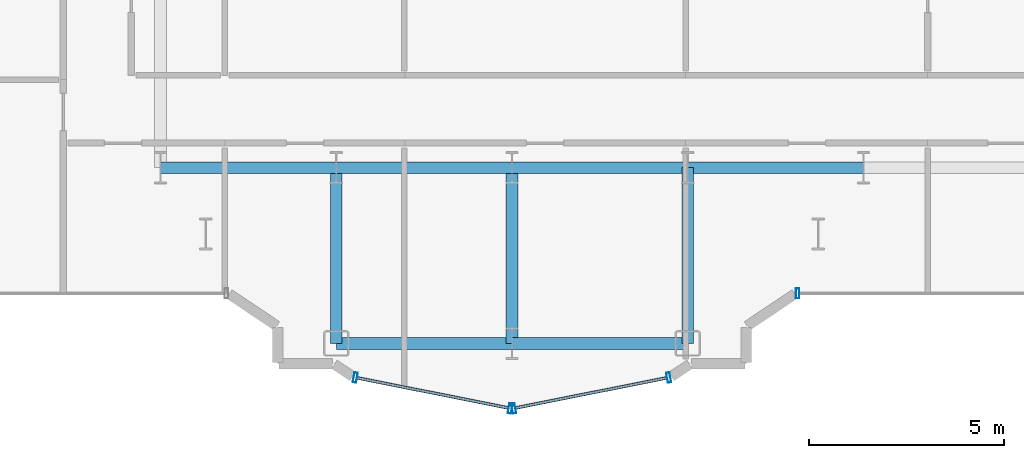
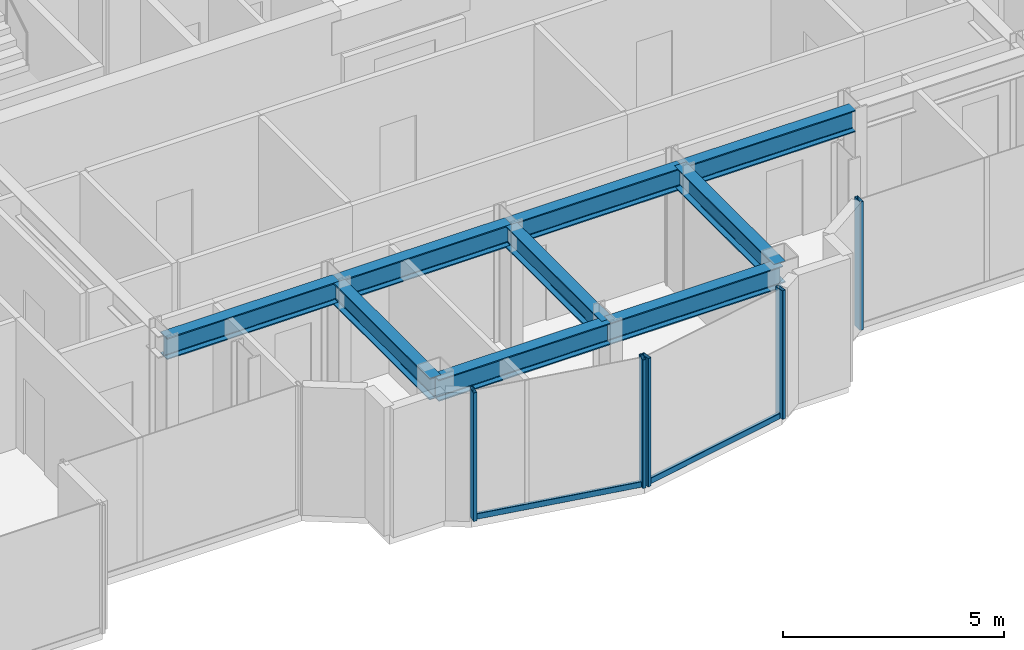
# One storey, part 3 of 20: 9 beams, 7 members, 3 elements without a shape of their own.
"""IFC4 building model written with IfcOpenShell, lengths in metres."""

import ifcopenshell
import ifcopenshell.guid

model = None  # the IFC model being written
_history = None  # IfcOwnerHistory: only IFC2X3 demands one
_inside = {}  # id of a spatial element -> (the spatial element, [elements in it])
_under = {}  # id of a project, library or spatial element -> (it, [spatial elements below it])
_declared = {}  # id of a project -> (the project, [libraries it declares])
_typed = {}  # id of a type object -> (the type object, [elements of that type])
_made_of = {}  # id of a material, layer set ... -> (it, [elements and type objects made of it])


def new_model(schema):
    """Start an empty IFC model of exactly this schema.

    Asked for "IFC4X3", IfcOpenShell would pick the latest addendum, in which some entities
    have other attributes; the version numbers below select the first issue.
    IFC2X3 requires an IfcOwnerHistory on every rooted entity: one is made here for all.
    """
    global model, _history
    if schema == "IFC4X3":
        model = ifcopenshell.file(schema_version=(4, 3, 0, 0))
    else:
        model = ifcopenshell.file(schema=schema)
    _inside.clear()
    _under.clear()
    _declared.clear()
    _typed.clear()
    _made_of.clear()
    _history = None
    if model.schema == "IFC2X3":
        org = make("IfcOrganization", Name="unknown")
        user = make(
            "IfcPersonAndOrganization",
            ThePerson=make("IfcPerson", FamilyName="unknown"),
            TheOrganization=org,
        )
        app = make(
            "IfcApplication",
            ApplicationDeveloper=org,
            Version="unknown",
            ApplicationFullName="unknown",
            ApplicationIdentifier="unknown",
        )
        _history = make(
            "IfcOwnerHistory",
            OwningUser=user,
            OwningApplication=app,
            ChangeAction="ADDED",
            CreationDate=0,
        )
    return model


def make(cls, **values):
    """One entity of the class cls with the attributes given. An attribute that is None is left unset."""
    return model.create_entity(
        cls, **{name: value for name, value in values.items() if value is not None}
    )


def rooted(cls, **values):
    """An entity with a GlobalId (a new one), such as an element, a storey or a relation."""
    return make(cls, GlobalId=ifcopenshell.guid.new(), OwnerHistory=_history, **values)


def si_unit(unit_type, name, prefix=None):
    """IfcSIUnit, for example si_unit("LENGTHUNIT", "METRE", prefix="MILLI")."""
    return make("IfcSIUnit", UnitType=unit_type, Prefix=prefix, Name=name)


def assignment(units):
    """IfcUnitAssignment: the units of a project."""
    return None if units is None else make("IfcUnitAssignment", Units=units)


def point(xyz):
    """IfcCartesianPoint."""
    return None if xyz is None else make("IfcCartesianPoint", Coordinates=xyz)


def direction(xyz):
    """IfcDirection."""
    return None if xyz is None else make("IfcDirection", DirectionRatios=xyz)


def frame(location, z_axis=None, x_axis=None):
    """IfcAxis2Placement3D, a coordinate frame: its origin and axes. An axis left out is left unset."""
    return make(
        "IfcAxis2Placement3D",
        Location=point(location),
        Axis=direction(z_axis),
        RefDirection=direction(x_axis),
    )


def frame_2d(location, x_axis=None):
    """IfcAxis2Placement2D, a coordinate frame in the plane: its origin and x axis."""
    return make(
        "IfcAxis2Placement2D", Location=point(location), RefDirection=direction(x_axis)
    )


def origin():
    """The frame at (0, 0, 0) with its axes left unset."""
    return frame((0.0, 0.0, 0.0))


def origin_2d():
    """The frame at (0, 0) in the plane with its x axis left unset."""
    return frame_2d((0.0, 0.0))


def place(relative_to, where):
    """IfcLocalPlacement: puts the frame where relative to a parent placement (None: the world)."""
    return make(
        "IfcLocalPlacement", PlacementRelTo=relative_to, RelativePlacement=where
    )


def context(
    kind, dimensions, precision=None, world=None, true_north=None, identifier=None
):
    """IfcGeometricRepresentationContext, for example the 3D "Model" context."""
    return make(
        "IfcGeometricRepresentationContext",
        ContextIdentifier=identifier,
        ContextType=kind,
        CoordinateSpaceDimension=dimensions,
        Precision=precision,
        WorldCoordinateSystem=world,
        TrueNorth=true_north,
    )


def subcontext(parent, identifier, kind, view, scale=None):
    """IfcGeometricRepresentationSubContext, for example "Body" below "Model"."""
    return make(
        "IfcGeometricRepresentationSubContext",
        ContextIdentifier=identifier,
        ContextType=kind,
        ParentContext=parent,
        TargetScale=scale,
        TargetView=view,
    )


def project(units=None, contexts=None):
    """IfcProject with its units and contexts."""
    return rooted(
        "IfcProject",
        Name="project",
        RepresentationContexts=contexts,
        UnitsInContext=assignment(units),
    )


def spatial(cls, under=None, at=None, **own):
    """A site, building, storey or space (cls), placed at a placement, below another one or the project."""
    s = rooted(cls, ObjectPlacement=at, **own)
    if under is not None:
        _under.setdefault(under.id(), (under, []))[1].append(s)
    return s


def profile(cls, at=None, kind="AREA", **sizes):
    """A parametric profile (cls). Its sizes go by their IFC names, for example OverallWidth=200.0."""
    return make(cls, ProfileType=kind, Position=at, **sizes)


def hollow_rectangle(**sizes):
    """IfcRectangleHollowProfileDef."""
    return profile("IfcRectangleHollowProfileDef", **sizes)


def i_section(**sizes):
    """IfcIShapeProfileDef."""
    return profile("IfcIShapeProfileDef", **sizes)


def extrude(swept, where, along, depth):
    """IfcExtrudedAreaSolid: the profile swept, set in the frame where, extruded along a direction by depth."""
    return make(
        "IfcExtrudedAreaSolid",
        SweptArea=swept,
        Position=where,
        ExtrudedDirection=direction(along),
        Depth=depth,
    )


def shape(context_of_items, identifier, shape_type, items):
    """IfcShapeRepresentation: the items that make up one representation, for example the "Body"."""
    return make(
        "IfcShapeRepresentation",
        ContextOfItems=context_of_items,
        RepresentationIdentifier=identifier,
        RepresentationType=shape_type,
        Items=items,
    )


def source(mapping_origin, context_of_items, identifier, shape_type, items):
    """IfcRepresentationMap: a shape defined once, which mapped items show again and again."""
    return make(
        "IfcRepresentationMap",
        MappingOrigin=mapping_origin,
        MappedRepresentation=shape(context_of_items, identifier, shape_type, items),
    )


def transform(
    local_origin,
    x_axis=None,
    y_axis=None,
    z_axis=None,
    scale=None,
    scale2=None,
    scale3=None,
    uniform=True,
):
    """IfcCartesianTransformationOperator3D, or its non-uniform kind. x_axis, y_axis, z_axis: its Axis1, 2, 3."""
    if uniform:
        return make(
            "IfcCartesianTransformationOperator3D",
            Axis1=direction(x_axis),
            Axis2=direction(y_axis),
            LocalOrigin=point(local_origin),
            Scale=scale,
            Axis3=direction(z_axis),
        )
    return make(
        "IfcCartesianTransformationOperator3DnonUniform",
        Axis1=direction(x_axis),
        Axis2=direction(y_axis),
        LocalOrigin=point(local_origin),
        Scale=scale,
        Axis3=direction(z_axis),
        Scale2=scale2,
        Scale3=scale3,
    )


def mapped(mapping_source, mapping_target):
    """IfcMappedItem: shows the shape of a source again, moved by a transform."""
    return make(
        "IfcMappedItem", MappingSource=mapping_source, MappingTarget=mapping_target
    )


def material(Name=None, Category=None):
    """IfcMaterial."""
    return make("IfcMaterial", Name=Name, Category=Category)


def layer(
    of_material, thickness, ventilated=None, Name=None, Category=None, Priority=None
):
    """IfcMaterialLayer: one layer of a wall or slab, of a material (None: an air gap)."""
    return make(
        "IfcMaterialLayer",
        Material=of_material,
        LayerThickness=thickness,
        IsVentilated=ventilated,
        Name=Name,
        Category=Category,
        Priority=Priority,
    )


def layer_set(layers, Name=None):
    """IfcMaterialLayerSet."""
    return make("IfcMaterialLayerSet", MaterialLayers=layers, LayerSetName=Name)


def material_profile(
    of_material, cross_section, Name=None, Category=None, Priority=None
):
    """IfcMaterialProfile: a cross section and its material."""
    return make(
        "IfcMaterialProfile",
        Name=Name,
        Material=of_material,
        Profile=cross_section,
        Priority=Priority,
        Category=Category,
    )


def profile_set(profiles, Name=None, composite=None):
    """IfcMaterialProfileSet."""
    return make(
        "IfcMaterialProfileSet",
        Name=Name,
        MaterialProfiles=profiles,
        CompositeProfile=composite,
    )


def made_of(thing, what):
    """Note that an element or type object is made of a material, layer set ...; save() writes the relation."""
    if what is not None:
        _made_of.setdefault(what.id(), (what, []))[1].append(thing)
    return thing


def type_object(cls, material=None, **own):
    """A type object (cls), such as IfcWallType, which elements share."""
    return made_of(rooted(cls, **own), material)


def element(
    cls,
    number,
    at=None,
    inside=None,
    cuts=None,
    type_object=None,
    material=None,
    context=None,
    identifier="Body",
    shape_type=None,
    held_by="IfcProductDefinitionShape",
    body=None,
    shapes=None,
    **own,
):
    """One element of the class cls, such as IfcWall. Its Tag is "e" and its number.

    at: its placement. inside: the storey or other place that contains it. cuts: it is an
    opening in that element (IfcRelVoidsElement). A single representation is given by context,
    identifier, shape_type and body (its items); several are given by shapes. held_by: the class
    of the entity that holds the representations. save() writes the other relations.
    """
    e = rooted(cls, Tag="e%d" % number, ObjectPlacement=at, **own)
    if body is not None:
        shapes = [shape(context, identifier, shape_type, body)]
    if shapes is not None:
        e.Representation = make(held_by, Representations=shapes)
    if inside is not None:
        _inside.setdefault(inside.id(), (inside, []))[1].append(e)
    if cuts is not None:
        rooted(
            "IfcRelVoidsElement", RelatingBuildingElement=cuts, RelatedOpeningElement=e
        )
    if type_object is not None:
        _typed.setdefault(type_object.id(), (type_object, []))[1].append(e)
    return made_of(e, material)


def aggregate(whole, parts):
    """IfcRelAggregates: a whole, such as a stair, and the parts it consists of."""
    return rooted("IfcRelAggregates", RelatingObject=whole, RelatedObjects=parts)


def save(model, path):
    """Write the relations noted so far, then the file.

    IfcRelAggregates (storeys below a building ...), IfcRelContainedInSpatialStructure (elements
    in a storey), IfcRelDefinesByType, IfcRelAssociatesMaterial and IfcRelDeclares: one each for
    every whole, place, type object, material and project.
    """
    for whole, parts in _under.values():
        aggregate(whole, parts)
    for where, things in _inside.values():
        rooted(
            "IfcRelContainedInSpatialStructure",
            RelatedElements=things,
            RelatingStructure=where,
        )
    for kind, things in _typed.values():
        rooted("IfcRelDefinesByType", RelatedObjects=things, RelatingType=kind)
    for what, things in _made_of.values():
        rooted("IfcRelAssociatesMaterial", RelatedObjects=things, RelatingMaterial=what)
    for by, libraries in _declared.values():
        rooted("IfcRelDeclares", RelatingContext=by, RelatedDefinitions=libraries)
    model.write(path)


model = new_model("IFC4")

# Units and contexts
model_context = context("Model", 3, precision=1e-05, world=origin(), true_north=direction((0.0, 1.0)))
body_context = subcontext(model_context, "Body", "Model", "MODEL_VIEW")
ifc_project = project(units=[si_unit("LENGTHUNIT", "METRE"), si_unit("AREAUNIT", "SQUARE_METRE"), si_unit("VOLUMEUNIT", "CUBIC_METRE"), si_unit("PLANEANGLEUNIT", "RADIAN"), si_unit("MASSUNIT", "GRAM", prefix="KILO")], contexts=[model_context])

# Site, building, storey
site_placement = place(None, origin())
site = spatial("IfcSite", under=ifc_project, at=site_placement, CompositionType="ELEMENT")
building_placement = place(site_placement, origin())
building = spatial("IfcBuilding", under=site, at=building_placement, Name="Nefas-Gora Pilgrimage Tower", CompositionType="ELEMENT")
storey_placement = place(building_placement, frame((0.0, 0.0, 237.0)))
storey = spatial("IfcBuildingStorey", under=building, at=storey_placement, Name="L59", CompositionType="ELEMENT", Elevation=237.0)

# Beams
ifc_material_1 = material(Name="Steel S355", Category="steel")
ifc_material_profile_1 = material_profile(ifc_material_1, i_section(OverallWidth=0.300048828125, OverallDepth=0.60009765625, WebThickness=0.015380859375, FlangeThickness=0.030029296875, FilletRadius=0.027099609375, at=origin_2d()), Name="HEB 600")
ifc_profile_set_1 = profile_set([ifc_material_profile_1], Name="Steel S355")
beam_type = type_object("IfcBeamType", Name="BM-GIR-HEB600", PredefinedType="BEAM", material=ifc_profile_set_1)
shared_shape_1 = source(origin(), body_context, "Body", "SweptSolid", [
    extrude(i_section(OverallWidth=0.300048828125, OverallDepth=0.60009765625, WebThickness=0.015380859375, FlangeThickness=0.030029296875, FilletRadius=0.027099609375, at=origin_2d()), origin(), (0.0, 0.0, 1.0), 4.5),
])
for number, where, z_axis, x_axis, name in (
    (1, (-11.25, -18.0, 3.25), (1.0, 0.0, 0.0), (0.0, 1.0, 0.0), "L59 G-04 beam"),
    (2, (-6.75, -22.5, 3.25), (0.0, 1.0, 0.0), (-1.0, 0.0, 0.0), "L59 G-04 beam"),
    (3, (-6.75, -22.5, 3.25), (1.0, 0.0, 0.0), (0.0, 1.0, 0.0), "L59 G-04 beam"),
    (4, (-6.75, -18.0, 3.25), (1.0, 0.0, 0.0), (0.0, 1.0, 0.0), "L59 G-04 beam"),
    (5, (-2.25, -22.5, 3.25), (0.0, 1.0, 0.0), (-1.0, 0.0, 0.0), "L59 G-04 beam"),
    (6, (-2.25, -22.5, 3.25), (1.0, 0.0, 0.0), (0.0, 1.0, 0.0), "L59 G-04 beam"),
    (7, (-2.25, -18.0, 3.25), (1.0, 0.0, 0.0), (0.0, 1.0, 0.0), "L59 G-04 beam"),
    (8, (2.25, -22.5, 3.25), (0.0, 1.0, 0.0), (-1.0, 0.0, 0.0), "L59 G-04 beam"),
    (9, (2.25, -18.0, 3.25), (1.0, 0.0, 0.0), (0.0, 1.0, 0.0), "L59 G-04 beam"),
):
    element("IfcBeam", number, at=place(storey_placement, frame(where, z_axis=z_axis, x_axis=x_axis)), inside=storey, type_object=beam_type, Name=name, PredefinedType="BEAM", context=body_context, shape_type="MappedRepresentation", body=[
        mapped(shared_shape_1, transform((0.0, 0.0, 0.0), x_axis=(1.0, 0.0, 0.0), y_axis=(0.0, 1.0, 0.0), z_axis=(0.0, 0.0, 1.0), scale=1.0)),
    ])

# Curtain wall, member
ifc_material_2 = material(Name="Dark ceramic-fritted solar-control aluminium-glass curtain wall", Category="aluminium")
ifc_layer = layer(ifc_material_2, 0.219970703125)
ifc_layer_set = layer_set([ifc_layer], Name="Dark ceramic-fritted solar-control aluminium-glass curtain wall")
curtain_wall_type = type_object("IfcCurtainWallType", Name="CW-SYS-5", PredefinedType="NOTDEFINED", material=ifc_layer_set)
curtain_wall_1_placement = place(storey_placement, origin())
curtain_wall_1 = element("IfcCurtainWall", 10, at=curtain_wall_1_placement, inside=storey, type_object=curtain_wall_type, Name="L59 Unitised Curtain Wall CW5", PredefinedType="NOTDEFINED")
ifc_material_3 = material(Name="Anodised architectural aluminium", Category="aluminium")
ifc_material_profile_2 = material_profile(ifc_material_3, hollow_rectangle(XDim=0.090087890625, YDim=0.260009765625, WallThickness=0.006103515625, InnerFilletRadius=0.006103515625, OuterFilletRadius=0.011962890625, at=origin_2d()), Name="ALU MULLION 90x260")
ifc_profile_set_2 = profile_set([ifc_material_profile_2], Name="Anodised architectural aluminium")
member_type_1 = type_object("IfcMemberType", Name="CWM-MUL-5", PredefinedType="MULLION", material=ifc_profile_set_2)
shared_shape_2 = source(origin(), body_context, "Body", "SweptSolid", [
    extrude(hollow_rectangle(XDim=0.090087890625, YDim=0.260009765625, WallThickness=0.006103515625, InnerFilletRadius=0.006103515625, OuterFilletRadius=0.011962890625, at=origin_2d()), origin(), (0.0, 0.0, 1.0), 3.550048828125),
])
member_1_placement = place(storey_placement, frame((5.06298828125, -21.219970703125, 0.0), z_axis=(0.0, 0.0, 1.0), x_axis=(1.0, 0.0, 0.0)))
member_1 = element("IfcMember", 11, at=member_1_placement, type_object=member_type_1, Name="CW5 Mullion 1", PredefinedType="MULLION", context=body_context, shape_type="MappedRepresentation", body=[
    mapped(shared_shape_2, transform((0.0, 0.0, 0.0), x_axis=(1.0, 0.0, 0.0), y_axis=(0.0, 1.0, 0.0), z_axis=(0.0, 0.0, 1.0), scale=1.0)),
])
aggregate(curtain_wall_1, [member_1])

# Curtain wall, members
curtain_wall_2_placement = place(storey_placement, origin())
curtain_wall_2 = element("IfcCurtainWall", 12, at=curtain_wall_2_placement, inside=storey, type_object=curtain_wall_type, Name="L59 Unitised Curtain Wall CW5", PredefinedType="NOTDEFINED")
member_2_placement = place(storey_placement, frame((-6.26318359375, -23.3740234375, 0.0), z_axis=(0.0, 0.0, 1.0), x_axis=(0.980782896852, -0.195102304554, 0.0)))
member_2 = element("IfcMember", 13, at=member_2_placement, type_object=member_type_1, Name="CW5 Mullion 1", PredefinedType="MULLION", context=body_context, shape_type="MappedRepresentation", body=[
    mapped(shared_shape_2, transform((0.0, 0.0, 0.0), x_axis=(1.0, 0.0, 0.0), y_axis=(0.0, 1.0, 0.0), z_axis=(0.0, 0.0, 1.0), scale=1.0)),
])
member_3_placement = place(storey_placement, frame((-2.294189453125, -24.16357421875, 0.0), z_axis=(0.0, 0.0, 1.0), x_axis=(0.980782896852, -0.195102304554, 0.0)))
member_3 = element("IfcMember", 14, at=member_3_placement, type_object=member_type_1, Name="CW5 Mullion 2", PredefinedType="MULLION", context=body_context, shape_type="MappedRepresentation", body=[
    mapped(shared_shape_2, transform((0.0, 0.0, 0.0), x_axis=(1.0, 0.0, 0.0), y_axis=(0.0, 1.0, 0.0), z_axis=(0.0, 0.0, 1.0), scale=1.0)),
])

curtain_wall_3_placement = place(storey_placement, origin())
curtain_wall_3 = element("IfcCurtainWall", 15, at=curtain_wall_3_placement, inside=storey, type_object=curtain_wall_type, Name="L59 Unitised Curtain Wall CW5", PredefinedType="NOTDEFINED")
member_4_placement = place(storey_placement, frame((-2.205810546875, -24.16357421875, 0.0), z_axis=(0.0, 0.0, 1.0), x_axis=(0.980782896852, 0.195102304554, 0.0)))
member_4 = element("IfcMember", 16, at=member_4_placement, type_object=member_type_1, Name="CW5 Mullion 1", PredefinedType="MULLION", context=body_context, shape_type="MappedRepresentation", body=[
    mapped(shared_shape_2, transform((0.0, 0.0, 0.0), x_axis=(1.0, 0.0, 0.0), y_axis=(0.0, 1.0, 0.0), z_axis=(0.0, 0.0, 1.0), scale=1.0)),
])
member_5_placement = place(storey_placement, frame((1.76318359375, -23.3740234375, 0.0), z_axis=(0.0, 0.0, 1.0), x_axis=(0.980782896852, 0.195102304554, 0.0)))
member_5 = element("IfcMember", 17, at=member_5_placement, type_object=member_type_1, Name="CW5 Mullion 2", PredefinedType="MULLION", context=body_context, shape_type="MappedRepresentation", body=[
    mapped(shared_shape_2, transform((0.0, 0.0, 0.0), x_axis=(1.0, 0.0, 0.0), y_axis=(0.0, 1.0, 0.0), z_axis=(0.0, 0.0, 1.0), scale=1.0)),
])

# Member
ifc_material_profile_3 = material_profile(ifc_material_3, hollow_rectangle(XDim=0.080078125, YDim=0.159912109375, WallThickness=0.00439453125, InnerFilletRadius=0.00439453125, OuterFilletRadius=0.009033203125, at=origin_2d()), Name="ALU TRANSOM 80x160")
ifc_profile_set_3 = profile_set([ifc_material_profile_3], Name="Anodised architectural aluminium")
member_type_2 = type_object("IfcMemberType", Name="CWM-TRN-5", PredefinedType="USERDEFINED", material=ifc_profile_set_3)
shared_shape_3 = source(origin(), body_context, "Body", "SweptSolid", [
    extrude(hollow_rectangle(XDim=0.080078125, YDim=0.159912109375, WallThickness=0.00439453125, InnerFilletRadius=0.00439453125, OuterFilletRadius=0.009033203125, at=origin_2d()), origin(), (0.0, 0.0, 1.0), 3.95654296875),
])
member_6_placement = place(storey_placement, frame((-6.218994140625, -23.3828125, 0.050048828125), z_axis=(0.980781880918, -0.195107411605, 0.0), x_axis=(0.195107411605, 0.980781880918, 0.0)))
member_6 = element("IfcMember", 18, at=member_6_placement, type_object=member_type_2, Name="CW5 Spandrel Transom", ObjectType="TRANSOM", PredefinedType="USERDEFINED", context=body_context, shape_type="MappedRepresentation", body=[
    mapped(shared_shape_3, transform((0.0, 0.0, 0.0), x_axis=(1.0, 0.0, 0.0), y_axis=(0.0, 1.0, 0.0), z_axis=(0.0, 0.0, 1.0), scale=1.0)),
])

aggregate(curtain_wall_2, [member_2, member_3, member_6])

member_7_placement = place(storey_placement, frame((-2.16162109375, -24.15478515625, 0.050048828125), z_axis=(0.980781880918, 0.195107411605, 0.0), x_axis=(-0.195107411605, 0.980781880918, 0.0)))
member_7 = element("IfcMember", 19, at=member_7_placement, type_object=member_type_2, Name="CW5 Spandrel Transom", ObjectType="TRANSOM", PredefinedType="USERDEFINED", context=body_context, shape_type="MappedRepresentation", body=[
    mapped(shared_shape_3, transform((0.0, 0.0, 0.0), x_axis=(1.0, 0.0, 0.0), y_axis=(0.0, 1.0, 0.0), z_axis=(0.0, 0.0, 1.0), scale=1.0)),
])

aggregate(curtain_wall_3, [member_4, member_5, member_7])

save(model, "model.ifc")
